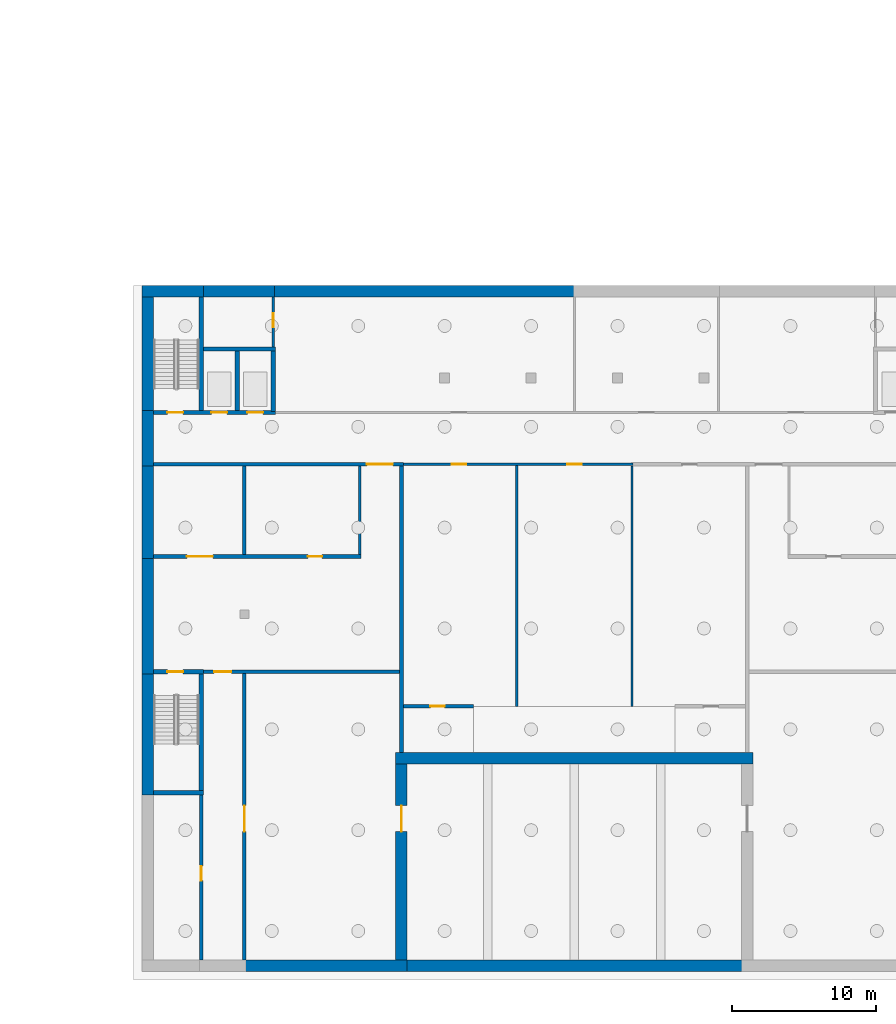
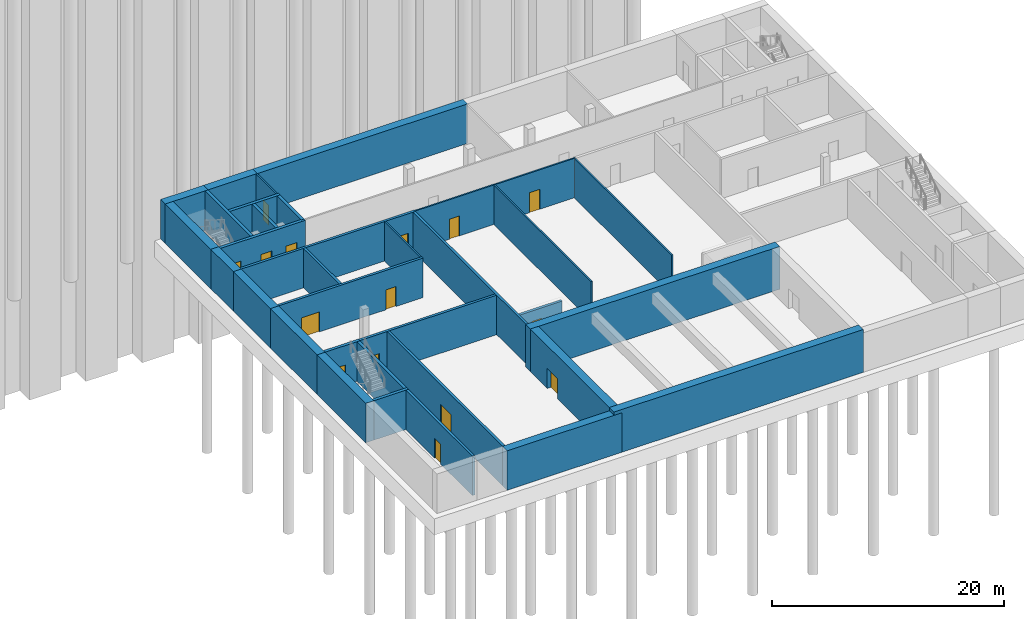
# One storey, part 6 of 23: 33 walls, 15 doors, 15 openings.
"""IFC4 building model written with IfcOpenShell, lengths in metres."""

from ifc_helpers import new_model, si_unit, direction, frame, frame_2d, origin, place, context, subcontext, project, spatial, rectangle, extrude, material, layer, layer_set, type_object, element, fill, save


model = new_model("IFC4")

# Units and contexts
model_context = context("Model", 3, precision=1e-05, world=origin(), true_north=direction((0.0, 1.0)))
body_context = subcontext(model_context, "Body", "Model", "MODEL_VIEW")
ifc_project = project(units=[si_unit("LENGTHUNIT", "METRE"), si_unit("AREAUNIT", "SQUARE_METRE"), si_unit("VOLUMEUNIT", "CUBIC_METRE"), si_unit("PLANEANGLEUNIT", "RADIAN"), si_unit("MASSUNIT", "GRAM", prefix="KILO")], contexts=[model_context])

# Site, building, storey
site_placement = place(None, origin())
site = spatial("IfcSite", under=ifc_project, at=site_placement, CompositionType="ELEMENT")
building_placement = place(site_placement, origin())
building = spatial("IfcBuilding", under=site, at=building_placement, Name="Kiln Ring Residences", CompositionType="ELEMENT")
storey_placement = place(building_placement, frame((0.0, 0.0, -4.5)))
storey = spatial("IfcBuildingStorey", under=building, at=storey_placement, Name="B1", CompositionType="ELEMENT", Elevation=-4.5)

# Walls
ifc_material_1 = material(Name="Concrete C40/50", Category="concrete")
ifc_layer_1 = layer(ifc_material_1, 0.800048828125)
ifc_layer_set_1 = layer_set([ifc_layer_1], Name="Hall Board-marked concrete C40/50 hall wall 800")
wall_type_1 = type_object("IfcWallType", Name="Hall Board-marked concrete C40/50 hall wall 800", PredefinedType="SOLIDWALL", material=ifc_layer_set_1)
wall_1_placement = place(storey_placement, frame((-12.39990234375, -159.60009765625, 0.0), z_axis=(0.0, 0.0, 1.0), x_axis=(1.0, 0.0, 0.0)))
element("IfcWall", 1, at=wall_1_placement, inside=storey, type_object=wall_type_1, Name="Hall wall B1 4", PredefinedType="SOLIDWALL", context=body_context, shape_type="SweptSolid", body=[
    extrude(rectangle(XDim=24.7998046875, YDim=0.800048828125, at=frame_2d((12.39990234375, 0.0))), origin(), (0.0, 0.0, 1.0), 4.5),
])
ifc_material_2 = material(Name="Concrete C40/50", Category="concrete")
ifc_layer_2 = layer(ifc_material_2, 0.800048828125)
ifc_layer_set_2 = layer_set([ifc_layer_2], Name="Hall Board-marked concrete C40/50 hall wall 800 internal")
wall_type_2 = type_object("IfcWallType", Name="Hall Board-marked concrete C40/50 hall wall 800 internal", PredefinedType="SOLIDWALL", material=ifc_layer_set_2)
wall_2_placement = place(storey_placement, frame((-12.39990234375, -145.199951171875, 0.0), z_axis=(0.0, 0.0, 1.0), x_axis=(1.0, 0.0, 0.0)))
element("IfcWall", 2, at=wall_2_placement, inside=storey, type_object=wall_type_2, Name="Hall wall B1 11", PredefinedType="SOLIDWALL", context=body_context, shape_type="SweptSolid", body=[
    extrude(rectangle(XDim=24.7998046875, YDim=0.800048828125, at=frame_2d((12.39990234375, 0.0))), origin(), (0.0, 0.0, 1.0), 4.5),
])

# Wall, opening, door
wall_3_placement = place(storey_placement, frame((-12.0, -159.199951171875, 0.0), z_axis=(0.0, 0.0, 1.0), x_axis=(0.0, 1.0, 0.0)))
wall_3 = element("IfcWall", 3, at=wall_3_placement, inside=storey, type_object=wall_type_2, Name="Hall wall B1 50", PredefinedType="SOLIDWALL", context=body_context, shape_type="SweptSolid", body=[
    extrude(rectangle(XDim=13.599853515625, YDim=0.800048828125, at=frame_2d((6.7998046875, 0.0))), origin(), (0.0, 0.0, 1.0), 4.5),
])
opening_1_placement = place(wall_3_placement, frame((8.89990234375, 0.0, 0.0)))
opening_1 = element("IfcOpeningElement", 4, at=opening_1_placement, cuts=wall_3, Name="Opening B1-32", PredefinedType="OPENING", context=body_context, shape_type="SweptSolid", body=[
    extrude(rectangle(XDim=1.800048828125, YDim=2.10009765625, at=frame_2d((0.89990234375, 1.050048828125))), frame((0.0, 0.409912109375, 0.0), z_axis=(0.0, -1.0, 0.0), x_axis=(1.0, 0.0, 0.0)), (0.0, 0.0, 1.0), 0.820068359375),
])
ifc_material_3 = material(Name="Steel door leaf", Category="steel")
door_type_1 = type_object("IfcDoorType", Name="Hall Double door 1800 x 2100", OperationType="DOUBLE_DOOR_SINGLE_SWING", PredefinedType="DOOR", material=ifc_material_3)
door_1_placement = place(opening_1_placement, origin())
door_1 = element("IfcDoor", 5, at=door_1_placement, inside=storey, type_object=door_type_1, Name="Hall door B1-32", OperationType="DOUBLE_DOOR_SINGLE_SWING", OverallHeight=2.10009765625, OverallWidth=1.800048828125, PredefinedType="DOOR", context=body_context, shape_type="SweptSolid", body=[
    extrude(rectangle(XDim=1.800048828125, YDim=2.10009765625, at=frame_2d((0.89990234375, 1.050048828125))), frame((0.0, 0.02490234375, 0.0), z_axis=(0.0, -1.0, 0.0), x_axis=(1.0, 0.0, 0.0)), (0.0, 0.0, 1.0), 0.050048828125),
])
fill(opening_1, door_1)

# Walls
ifc_material_4 = material(Name="Concrete C40/50", Category="concrete")
ifc_layer_3 = layer(ifc_material_4, 0.800048828125)
ifc_layer_set_3 = layer_set([ifc_layer_3], Name="Hall Exposed brick-faced reinforced concrete C40/50 wall 800")
wall_type_3 = type_object("IfcWallType", Name="Hall Exposed brick-faced reinforced concrete C40/50 wall 800", PredefinedType="SOLIDWALL", material=ifc_layer_set_3)
wall_4_placement = place(storey_placement, frame((-23.02490234375, -159.60009765625, 0.0), z_axis=(0.0, 0.0, 1.0), x_axis=(1.0, 0.0, 0.0)))
element("IfcWall", 6, at=wall_4_placement, inside=storey, type_object=wall_type_3, Name="Hall wall B1 3", PredefinedType="SOLIDWALL", context=body_context, shape_type="SweptSolid", body=[
    extrude(rectangle(XDim=11.4248046875, YDim=0.800048828125, at=frame_2d((5.71240234375, 0.0))), origin(), (0.0, 0.0, 1.0), 4.14990234375),
])
wall_5_placement = place(storey_placement, frame((-30.0, -112.800048828125, 0.0), z_axis=(0.0, 0.0, 1.0), x_axis=(1.0, 0.0, 0.0)))
element("IfcWall", 7, at=wall_5_placement, inside=storey, type_object=wall_type_3, Name="Hall wall B1 28", PredefinedType="SOLIDWALL", context=body_context, shape_type="SweptSolid", body=[
    extrude(rectangle(XDim=4.25, YDim=0.800048828125, at=frame_2d((2.125, 0.0))), origin(), (0.0, 0.0, 1.0), 4.14990234375),
])
wall_6_placement = place(storey_placement, frame((-26.0498046875, -112.800048828125, 0.0), z_axis=(0.0, 0.0, 1.0), x_axis=(1.0, 0.0, 0.0)))
element("IfcWall", 8, at=wall_6_placement, inside=storey, type_object=wall_type_3, Name="Hall wall B1 29", PredefinedType="SOLIDWALL", context=body_context, shape_type="SweptSolid", body=[
    extrude(rectangle(XDim=5.224609375, YDim=0.800048828125, at=frame_2d((2.6123046875, 0.0))), origin(), (0.0, 0.0, 1.0), 4.14990234375),
])
wall_7_placement = place(storey_placement, frame((-20.974853515625, -112.800048828125, 0.0), z_axis=(0.0, 0.0, 1.0), x_axis=(1.0, 0.0, 0.0)))
element("IfcWall", 9, at=wall_7_placement, inside=storey, type_object=wall_type_3, Name="Hall wall B1 30", PredefinedType="SOLIDWALL", context=body_context, shape_type="SweptSolid", body=[
    extrude(rectangle(XDim=21.0498046875, YDim=0.800048828125, at=frame_2d((10.52490234375, 0.0))), origin(), (0.0, 0.0, 1.0), 4.14990234375),
])
wall_8_placement = place(storey_placement, frame((-29.60009765625, -147.75, 0.0), z_axis=(0.0, 0.0, 1.0), x_axis=(0.0, 1.0, 0.0)))
element("IfcWall", 10, at=wall_8_placement, inside=storey, type_object=wall_type_3, Name="Hall wall B1 36", PredefinedType="SOLIDWALL", context=body_context, shape_type="SweptSolid", body=[
    extrude(rectangle(XDim=8.699951171875, YDim=0.800048828125, at=frame_2d((4.35009765625, 0.0))), origin(), (0.0, 0.0, 1.0), 4.14990234375),
])
wall_9_placement = place(storey_placement, frame((-29.60009765625, -139.349853515625, 0.0), z_axis=(0.0, 0.0, 1.0), x_axis=(0.0, 1.0, 0.0)))
element("IfcWall", 11, at=wall_9_placement, inside=storey, type_object=wall_type_3, Name="Hall wall B1 37", PredefinedType="SOLIDWALL", context=body_context, shape_type="SweptSolid", body=[
    extrude(rectangle(XDim=8.274658203125, YDim=0.800048828125, at=frame_2d((4.13720703125, 0.0))), origin(), (0.0, 0.0, 1.0), 4.14990234375),
])
wall_10_placement = place(storey_placement, frame((-29.60009765625, -131.324951171875, 0.0), z_axis=(0.0, 0.0, 1.0), x_axis=(0.0, 1.0, 0.0)))
element("IfcWall", 12, at=wall_10_placement, inside=storey, type_object=wall_type_3, Name="Hall wall B1 38", PredefinedType="SOLIDWALL", context=body_context, shape_type="SweptSolid", body=[
    extrude(rectangle(XDim=6.64990234375, YDim=0.800048828125, at=frame_2d((3.324951171875, 0.0))), origin(), (0.0, 0.0, 1.0), 4.14990234375),
])
wall_11_placement = place(storey_placement, frame((-29.60009765625, -124.9248046875, 0.0), z_axis=(0.0, 0.0, 1.0), x_axis=(0.0, 1.0, 0.0)))
element("IfcWall", 13, at=wall_11_placement, inside=storey, type_object=wall_type_3, Name="Hall wall B1 39", PredefinedType="SOLIDWALL", context=body_context, shape_type="SweptSolid", body=[
    extrude(rectangle(XDim=3.874755859375, YDim=0.800048828125, at=frame_2d((1.9375, 0.0))), origin(), (0.0, 0.0, 1.0), 4.14990234375),
])
wall_12_placement = place(storey_placement, frame((-29.60009765625, -121.349853515625, 0.0), z_axis=(0.0, 0.0, 1.0), x_axis=(0.0, 1.0, 0.0)))
element("IfcWall", 14, at=wall_12_placement, inside=storey, type_object=wall_type_3, Name="Hall wall B1 40", PredefinedType="SOLIDWALL", context=body_context, shape_type="SweptSolid", body=[
    extrude(rectangle(XDim=8.14990234375, YDim=0.800048828125, at=frame_2d((4.074951171875, 0.0))), origin(), (0.0, 0.0, 1.0), 4.14990234375),
])
ifc_material_5 = material(Name="Concrete C40/50", Category="concrete")
ifc_layer_4 = layer(ifc_material_5, 0.300048828125)
ifc_layer_set_4 = layer_set([ifc_layer_4], Name="Hall Reinforced concrete C40/50 core wall 300")
wall_type_4 = type_object("IfcWallType", Name="Hall Reinforced concrete C40/50 core wall 300", PredefinedType="SOLIDWALL", material=ifc_layer_set_4)
wall_13_placement = place(storey_placement, frame((-29.199951171875, -147.60009765625, 0.0), z_axis=(0.0, 0.0, 1.0), x_axis=(1.0, 0.0, 0.0)))
element("IfcWall", 15, at=wall_13_placement, inside=storey, type_object=wall_type_4, Name="Hall wall B1 9", PredefinedType="SOLIDWALL", context=body_context, shape_type="SweptSolid", body=[
    extrude(rectangle(XDim=3.449951171875, YDim=0.300048828125, at=frame_2d((1.72509765625, 0.0))), origin(), (0.0, 0.0, 1.0), 4.14990234375),
])

# Wall, opening, door
wall_14_placement = place(storey_placement, frame((-29.199951171875, -139.199951171875, 0.0), z_axis=(0.0, 0.0, 1.0), x_axis=(1.0, 0.0, 0.0)))
wall_14 = element("IfcWall", 16, at=wall_14_placement, inside=storey, type_object=wall_type_4, Name="Hall wall B1 14", PredefinedType="SOLIDWALL", context=body_context, shape_type="SweptSolid", body=[
    extrude(rectangle(XDim=3.449951171875, YDim=0.300048828125, at=frame_2d((1.72509765625, 0.0))), origin(), (0.0, 0.0, 1.0), 4.14990234375),
])
opening_2_placement = place(wall_14_placement, frame((0.949951171875, 0.0, 0.0)))
opening_2 = element("IfcOpeningElement", 17, at=opening_2_placement, cuts=wall_14, Name="Opening B1-08", PredefinedType="OPENING", context=body_context, shape_type="SweptSolid", body=[
    extrude(rectangle(XDim=1.10009765625, YDim=2.10009765625, at=frame_2d((0.550048828125, 1.050048828125))), frame((0.0, 0.159912109375, 0.0), z_axis=(0.0, -1.0, 0.0), x_axis=(1.0, 0.0, 0.0)), (0.0, 0.0, 1.0), 0.320068359375),
])
ifc_material_6 = material(Name="Steel door leaf", Category="steel")
door_type_2 = type_object("IfcDoorType", Name="Hall Stair door 1100 x 2100", OperationType="SINGLE_SWING_LEFT", PredefinedType="DOOR", material=ifc_material_6)
door_2_placement = place(opening_2_placement, origin())
door_2 = element("IfcDoor", 18, at=door_2_placement, inside=storey, type_object=door_type_2, Name="Hall door B1-08", OperationType="SINGLE_SWING_RIGHT", OverallHeight=2.10009765625, OverallWidth=1.10009765625, PredefinedType="DOOR", context=body_context, shape_type="SweptSolid", body=[
    extrude(rectangle(XDim=1.10009765625, YDim=2.10009765625, at=frame_2d((0.550048828125, 1.050048828125))), frame((0.0, 0.02490234375, 0.0), z_axis=(0.0, -1.0, 0.0), x_axis=(1.0, 0.0, 0.0)), (0.0, 0.0, 1.0), 0.050048828125),
])
fill(opening_2, door_2)

# Wall, openings, doors
wall_15_placement = place(storey_placement, frame((-29.199951171875, -121.199951171875, 0.0), z_axis=(0.0, 0.0, 1.0), x_axis=(1.0, 0.0, 0.0)))
wall_15 = element("IfcWall", 19, at=wall_15_placement, inside=storey, type_object=wall_type_4, Name="Hall wall B1 23", PredefinedType="SOLIDWALL", context=body_context, shape_type="SweptSolid", body=[
    extrude(rectangle(XDim=8.449951171875, YDim=0.300048828125, at=frame_2d((4.22509765625, 0.0))), origin(), (0.0, 0.0, 1.0), 4.14990234375),
])
opening_3_placement = place(wall_15_placement, frame((4.0, 0.0, 0.0)))
opening_3 = element("IfcOpeningElement", 20, at=opening_3_placement, cuts=wall_15, Name="Opening B1-01", PredefinedType="OPENING", context=body_context, shape_type="SweptSolid", body=[
    extrude(rectangle(XDim=1.10009765625, YDim=2.10009765625, at=frame_2d((0.550048828125, 1.050048828125))), frame((0.0, 0.159912109375, 0.0), z_axis=(0.0, -1.0, 0.0), x_axis=(1.0, 0.0, 0.0)), (0.0, 0.0, 1.0), 0.320068359375),
])
opening_4_placement = place(wall_15_placement, frame((6.5, 0.0, 0.0)))
opening_4 = element("IfcOpeningElement", 21, at=opening_4_placement, cuts=wall_15, Name="Opening B1-02", PredefinedType="OPENING", context=body_context, shape_type="SweptSolid", body=[
    extrude(rectangle(XDim=1.10009765625, YDim=2.10009765625, at=frame_2d((0.550048828125, 1.050048828125))), frame((0.0, 0.159912109375, 0.0), z_axis=(0.0, -1.0, 0.0), x_axis=(1.0, 0.0, 0.0)), (0.0, 0.0, 1.0), 0.320068359375),
])
opening_5_placement = place(wall_15_placement, frame((0.949951171875, 0.0, 0.0)))
opening_5 = element("IfcOpeningElement", 22, at=opening_5_placement, cuts=wall_15, Name="Opening B1-06", PredefinedType="OPENING", context=body_context, shape_type="SweptSolid", body=[
    extrude(rectangle(XDim=1.10009765625, YDim=2.10009765625, at=frame_2d((0.550048828125, 1.050048828125))), frame((0.0, 0.159912109375, 0.0), z_axis=(0.0, -1.0, 0.0), x_axis=(1.0, 0.0, 0.0)), (0.0, 0.0, 1.0), 0.320068359375),
])
ifc_material_7 = material(Name="Steel door leaf", Category="steel")
door_type_3 = type_object("IfcDoorType", Name="Hall Lift landing door 1100 x 2100", OperationType="DOUBLE_DOOR_SLIDING", PredefinedType="DOOR", material=ifc_material_7)
door_3_placement = place(opening_3_placement, origin())
door_3 = element("IfcDoor", 23, at=door_3_placement, inside=storey, type_object=door_type_3, Name="Hall door B1-01", OperationType="DOUBLE_DOOR_SLIDING", OverallHeight=2.10009765625, OverallWidth=1.10009765625, PredefinedType="DOOR", context=body_context, shape_type="SweptSolid", body=[
    extrude(rectangle(XDim=1.10009765625, YDim=2.10009765625, at=frame_2d((0.550048828125, 1.050048828125))), frame((0.0, 0.02490234375, 0.0), z_axis=(0.0, -1.0, 0.0), x_axis=(1.0, 0.0, 0.0)), (0.0, 0.0, 1.0), 0.050048828125),
])
fill(opening_3, door_3)
door_4_placement = place(opening_4_placement, origin())
door_4 = element("IfcDoor", 24, at=door_4_placement, inside=storey, type_object=door_type_3, Name="Hall door B1-02", OperationType="DOUBLE_DOOR_SLIDING", OverallHeight=2.10009765625, OverallWidth=1.10009765625, PredefinedType="DOOR", context=body_context, shape_type="SweptSolid", body=[
    extrude(rectangle(XDim=1.10009765625, YDim=2.10009765625, at=frame_2d((0.550048828125, 1.050048828125))), frame((0.0, 0.02490234375, 0.0), z_axis=(0.0, -1.0, 0.0), x_axis=(1.0, 0.0, 0.0)), (0.0, 0.0, 1.0), 0.050048828125),
])
fill(opening_4, door_4)
door_5_placement = place(opening_5_placement, origin())
door_5 = element("IfcDoor", 25, at=door_5_placement, inside=storey, type_object=door_type_2, Name="Hall door B1-06", OperationType="SINGLE_SWING_RIGHT", OverallHeight=2.10009765625, OverallWidth=1.10009765625, PredefinedType="DOOR", context=body_context, shape_type="SweptSolid", body=[
    extrude(rectangle(XDim=1.10009765625, YDim=2.10009765625, at=frame_2d((0.550048828125, 1.050048828125))), frame((0.0, 0.02490234375, 0.0), z_axis=(0.0, -1.0, 0.0), x_axis=(1.0, 0.0, 0.0)), (0.0, 0.0, 1.0), 0.050048828125),
])
fill(opening_5, door_5)

# Walls
wall_16_placement = place(storey_placement, frame((-25.75, -116.800048828125, 0.0), z_axis=(0.0, 0.0, 1.0), x_axis=(1.0, 0.0, 0.0)))
element("IfcWall", 26, at=wall_16_placement, inside=storey, type_object=wall_type_4, Name="Hall wall B1 26", PredefinedType="SOLIDWALL", context=body_context, shape_type="SweptSolid", body=[
    extrude(rectangle(XDim=5.0, YDim=0.300048828125, at=frame_2d((2.5, 0.0))), origin(), (0.0, 0.0, 1.0), 4.14990234375),
])
wall_17_placement = place(storey_placement, frame((-25.89990234375, -147.449951171875, 0.0), z_axis=(0.0, 0.0, 1.0), x_axis=(0.0, 1.0, 0.0)))
element("IfcWall", 27, at=wall_17_placement, inside=storey, type_object=wall_type_4, Name="Hall wall B1 42", PredefinedType="SOLIDWALL", context=body_context, shape_type="SweptSolid", body=[
    extrude(rectangle(XDim=8.224853515625, YDim=0.300048828125, at=frame_2d((4.1123046875, 0.0))), origin(), (0.0, 0.0, 1.0), 4.14990234375),
])
wall_18_placement = place(storey_placement, frame((-25.89990234375, -121.050048828125, 0.0), z_axis=(0.0, 0.0, 1.0), x_axis=(0.0, 1.0, 0.0)))
element("IfcWall", 28, at=wall_18_placement, inside=storey, type_object=wall_type_4, Name="Hall wall B1 43", PredefinedType="SOLIDWALL", context=body_context, shape_type="SweptSolid", body=[
    extrude(rectangle(XDim=7.85009765625, YDim=0.300048828125, at=frame_2d((3.925048828125, 0.0))), origin(), (0.0, 0.0, 1.0), 4.14990234375),
])
wall_19_placement = place(storey_placement, frame((-23.39990234375, -121.050048828125, 0.0), z_axis=(0.0, 0.0, 1.0), x_axis=(0.0, 1.0, 0.0)))
element("IfcWall", 29, at=wall_19_placement, inside=storey, type_object=wall_type_4, Name="Hall wall B1 44", PredefinedType="SOLIDWALL", context=body_context, shape_type="SweptSolid", body=[
    extrude(rectangle(XDim=4.10009765625, YDim=0.300048828125, at=frame_2d((2.050048828125, 0.0))), origin(), (0.0, 0.0, 1.0), 4.14990234375),
])
wall_20_placement = place(storey_placement, frame((-20.89990234375, -121.125, 0.0), z_axis=(0.0, 0.0, 1.0), x_axis=(0.0, 1.0, 0.0)))
element("IfcWall", 30, at=wall_20_placement, inside=storey, type_object=wall_type_4, Name="Hall wall B1 47", PredefinedType="SOLIDWALL", context=body_context, shape_type="SweptSolid", body=[
    extrude(rectangle(XDim=4.175048828125, YDim=0.300048828125, at=frame_2d((2.08740234375, 0.0))), origin(), (0.0, 0.0, 1.0), 4.14990234375),
])

# Wall, opening, door
ifc_material_8 = material(Name="Concrete C40/50", Category="concrete")
ifc_layer_5 = layer(ifc_material_8, 0.25)
ifc_layer_set_5 = layer_set([ifc_layer_5], Name="Hall Reinforced concrete C40/50 wall 250")
wall_type_5 = type_object("IfcWallType", Name="Hall Reinforced concrete C40/50 wall 250", PredefinedType="SOLIDWALL", material=ifc_layer_set_5)
wall_21_placement = place(storey_placement, frame((-11.875, -141.60009765625, 0.0), z_axis=(0.0, 0.0, 1.0), x_axis=(1.0, 0.0, 0.0)))
wall_21 = element("IfcWall", 31, at=wall_21_placement, inside=storey, type_object=wall_type_5, Name="Hall wall B1 12", PredefinedType="SOLIDWALL", context=body_context, shape_type="SweptSolid", body=[
    extrude(rectangle(XDim=4.875, YDim=0.25, at=frame_2d((2.4375, 0.0))), origin(), (0.0, 0.0, 1.0), 3.199951171875),
])
opening_6_placement = place(wall_21_placement, frame((1.875, 0.0, 0.0)))
opening_6 = element("IfcOpeningElement", 32, at=opening_6_placement, cuts=wall_21, Name="Opening B1-30", PredefinedType="OPENING", context=body_context, shape_type="SweptSolid", body=[
    extrude(rectangle(XDim=1.0, YDim=2.10009765625, at=frame_2d((0.5, 1.050048828125))), frame((0.0, 0.135009765625, 0.0), z_axis=(0.0, -1.0, 0.0), x_axis=(1.0, 0.0, 0.0)), (0.0, 0.0, 1.0), 0.27001953125),
])
ifc_material_9 = material(Name="Steel door leaf", Category="steel")
door_type_4 = type_object("IfcDoorType", Name="Hall Single door 1000 x 2100", OperationType="SINGLE_SWING_LEFT", PredefinedType="DOOR", material=ifc_material_9)
door_6_placement = place(opening_6_placement, origin())
door_6 = element("IfcDoor", 33, at=door_6_placement, inside=storey, type_object=door_type_4, Name="Hall door B1-30", OperationType="SINGLE_SWING_RIGHT", OverallHeight=2.10009765625, OverallWidth=1.0, PredefinedType="DOOR", context=body_context, shape_type="SweptSolid", body=[
    extrude(rectangle(XDim=1.0, YDim=2.10009765625, at=frame_2d((0.5, 1.050048828125))), frame((0.0, 0.02490234375, 0.0), z_axis=(0.0, -1.0, 0.0), x_axis=(1.0, 0.0, 0.0)), (0.0, 0.0, 1.0), 0.050048828125),
])
fill(opening_6, door_6)

wall_22_placement = place(storey_placement, frame((-25.75, -139.199951171875, 0.0), z_axis=(0.0, 0.0, 1.0), x_axis=(1.0, 0.0, 0.0)))
wall_22 = element("IfcWall", 34, at=wall_22_placement, inside=storey, type_object=wall_type_5, Name="Hall wall B1 15", PredefinedType="SOLIDWALL", context=body_context, shape_type="SweptSolid", body=[
    extrude(rectangle(XDim=13.625, YDim=0.25, at=frame_2d((6.8125, 0.0))), origin(), (0.0, 0.0, 1.0), 4.14990234375),
])
opening_7_placement = place(wall_22_placement, frame((0.75, 0.0, 0.0)))
opening_7 = element("IfcOpeningElement", 35, at=opening_7_placement, cuts=wall_22, Name="Opening B1-21", PredefinedType="OPENING", context=body_context, shape_type="SweptSolid", body=[
    extrude(rectangle(XDim=1.199951171875, YDim=2.10009765625, at=frame_2d((0.60009765625, 1.050048828125))), frame((0.0, 0.135009765625, 0.0), z_axis=(0.0, -1.0, 0.0), x_axis=(1.0, 0.0, 0.0)), (0.0, 0.0, 1.0), 0.27001953125),
])
ifc_material_10 = material(Name="Steel door leaf", Category="steel")
door_type_5 = type_object("IfcDoorType", Name="Hall Single door 1200 x 2100", OperationType="SINGLE_SWING_LEFT", PredefinedType="DOOR", material=ifc_material_10)
door_7_placement = place(opening_7_placement, origin())
door_7 = element("IfcDoor", 36, at=door_7_placement, inside=storey, type_object=door_type_5, Name="Hall door B1-21", OperationType="SINGLE_SWING_LEFT", OverallHeight=2.10009765625, OverallWidth=1.199951171875, PredefinedType="DOOR", context=body_context, shape_type="SweptSolid", body=[
    extrude(rectangle(XDim=1.199951171875, YDim=2.10009765625, at=frame_2d((0.60009765625, 1.050048828125))), frame((0.0, 0.02490234375, 0.0), z_axis=(0.0, -1.0, 0.0), x_axis=(1.0, 0.0, 0.0)), (0.0, 0.0, 1.0), 0.050048828125),
])
fill(opening_7, door_7)

# Wall, openings, doors
wall_23_placement = place(storey_placement, frame((-29.199951171875, -131.199951171875, 0.0), z_axis=(0.0, 0.0, 1.0), x_axis=(1.0, 0.0, 0.0)))
wall_23 = element("IfcWall", 37, at=wall_23_placement, inside=storey, type_object=wall_type_5, Name="Hall wall B1 18", PredefinedType="SOLIDWALL", context=body_context, shape_type="SweptSolid", body=[
    extrude(rectangle(XDim=14.375, YDim=0.25, at=frame_2d((7.1875, 0.0))), origin(), (0.0, 0.0, 1.0), 4.14990234375),
])
opening_8_placement = place(wall_23_placement, frame((2.300048828125, 0.0, 0.0)))
opening_8 = element("IfcOpeningElement", 38, at=opening_8_placement, cuts=wall_23, Name="Opening B1-17", PredefinedType="OPENING", context=body_context, shape_type="SweptSolid", body=[
    extrude(rectangle(XDim=1.800048828125, YDim=2.10009765625, at=frame_2d((0.89990234375, 1.050048828125))), frame((0.0, 0.135009765625, 0.0), z_axis=(0.0, -1.0, 0.0), x_axis=(1.0, 0.0, 0.0)), (0.0, 0.0, 1.0), 0.27001953125),
])
opening_9_placement = place(wall_23_placement, frame((10.699951171875, 0.0, 0.0)))
opening_9 = element("IfcOpeningElement", 39, at=opening_9_placement, cuts=wall_23, Name="Opening B1-18", PredefinedType="OPENING", context=body_context, shape_type="SweptSolid", body=[
    extrude(rectangle(XDim=1.0, YDim=2.10009765625, at=frame_2d((0.5, 1.050048828125))), frame((0.0, 0.135009765625, 0.0), z_axis=(0.0, -1.0, 0.0), x_axis=(1.0, 0.0, 0.0)), (0.0, 0.0, 1.0), 0.27001953125),
])
door_8_placement = place(opening_8_placement, origin())
door_8 = element("IfcDoor", 40, at=door_8_placement, inside=storey, type_object=door_type_1, Name="Hall door B1-17", OperationType="DOUBLE_DOOR_SINGLE_SWING", OverallHeight=2.10009765625, OverallWidth=1.800048828125, PredefinedType="DOOR", context=body_context, shape_type="SweptSolid", body=[
    extrude(rectangle(XDim=1.800048828125, YDim=2.10009765625, at=frame_2d((0.89990234375, 1.050048828125))), frame((0.0, 0.02490234375, 0.0), z_axis=(0.0, -1.0, 0.0), x_axis=(1.0, 0.0, 0.0)), (0.0, 0.0, 1.0), 0.050048828125),
])
fill(opening_8, door_8)
door_9_placement = place(opening_9_placement, origin())
door_9 = element("IfcDoor", 41, at=door_9_placement, inside=storey, type_object=door_type_4, Name="Hall door B1-18", OperationType="SINGLE_SWING_RIGHT", OverallHeight=2.10009765625, OverallWidth=1.0, PredefinedType="DOOR", context=body_context, shape_type="SweptSolid", body=[
    extrude(rectangle(XDim=1.0, YDim=2.10009765625, at=frame_2d((0.5, 1.050048828125))), frame((0.0, 0.02490234375, 0.0), z_axis=(0.0, -1.0, 0.0), x_axis=(1.0, 0.0, 0.0)), (0.0, 0.0, 1.0), 0.050048828125),
])
fill(opening_9, door_9)

# Wall, opening, door
wall_24_placement = place(storey_placement, frame((-29.199951171875, -124.800048828125, 0.0), z_axis=(0.0, 0.0, 1.0), x_axis=(1.0, 0.0, 0.0)))
wall_24 = element("IfcWall", 42, at=wall_24_placement, inside=storey, type_object=wall_type_5, Name="Hall wall B1 20", PredefinedType="SOLIDWALL", context=body_context, shape_type="SweptSolid", body=[
    extrude(rectangle(XDim=17.324951171875, YDim=0.25, at=frame_2d((8.66259765625, 0.0))), origin(), (0.0, 0.0, 1.0), 4.14990234375),
])
opening_10_placement = place(wall_24_placement, frame((14.800048828125, 0.0, 0.0)))
opening_10 = element("IfcOpeningElement", 43, at=opening_10_placement, cuts=wall_24, Name="Opening B1-15", PredefinedType="OPENING", context=body_context, shape_type="SweptSolid", body=[
    extrude(rectangle(XDim=1.800048828125, YDim=2.10009765625, at=frame_2d((0.89990234375, 1.050048828125))), frame((0.0, 0.135009765625, 0.0), z_axis=(0.0, -1.0, 0.0), x_axis=(1.0, 0.0, 0.0)), (0.0, 0.0, 1.0), 0.27001953125),
])
door_10_placement = place(opening_10_placement, origin())
door_10 = element("IfcDoor", 44, at=door_10_placement, inside=storey, type_object=door_type_1, Name="Hall door B1-15", OperationType="DOUBLE_DOOR_SINGLE_SWING", OverallHeight=2.10009765625, OverallWidth=1.800048828125, PredefinedType="DOOR", context=body_context, shape_type="SweptSolid", body=[
    extrude(rectangle(XDim=1.800048828125, YDim=2.10009765625, at=frame_2d((0.89990234375, 1.050048828125))), frame((0.0, 0.02490234375, 0.0), z_axis=(0.0, -1.0, 0.0), x_axis=(1.0, 0.0, 0.0)), (0.0, 0.0, 1.0), 0.050048828125),
])
fill(opening_10, door_10)

wall_25_placement = place(storey_placement, frame((-25.89990234375, -159.199951171875, 0.0), z_axis=(0.0, 0.0, 1.0), x_axis=(0.0, 1.0, 0.0)))
wall_25 = element("IfcWall", 45, at=wall_25_placement, inside=storey, type_object=wall_type_5, Name="Hall wall B1 41", PredefinedType="SOLIDWALL", context=body_context, shape_type="SweptSolid", body=[
    extrude(rectangle(XDim=11.449951171875, YDim=0.25, at=frame_2d((5.72509765625, 0.0))), origin(), (0.0, 0.0, 1.0), 4.14990234375),
])
opening_11_placement = place(wall_25_placement, frame((5.5, 0.0, 0.0)))
opening_11 = element("IfcOpeningElement", 46, at=opening_11_placement, cuts=wall_25, Name="Opening B1-23", PredefinedType="OPENING", context=body_context, shape_type="SweptSolid", body=[
    extrude(rectangle(XDim=1.0, YDim=2.10009765625, at=frame_2d((0.5, 1.050048828125))), frame((0.0, 0.135009765625, 0.0), z_axis=(0.0, -1.0, 0.0), x_axis=(1.0, 0.0, 0.0)), (0.0, 0.0, 1.0), 0.27001953125),
])
door_11_placement = place(opening_11_placement, origin())
door_11 = element("IfcDoor", 47, at=door_11_placement, inside=storey, type_object=door_type_4, Name="Hall door B1-23", OperationType="SINGLE_SWING_LEFT", OverallHeight=2.10009765625, OverallWidth=1.0, PredefinedType="DOOR", context=body_context, shape_type="SweptSolid", body=[
    extrude(rectangle(XDim=1.0, YDim=2.10009765625, at=frame_2d((0.5, 1.050048828125))), frame((0.0, 0.02490234375, 0.0), z_axis=(0.0, -1.0, 0.0), x_axis=(1.0, 0.0, 0.0)), (0.0, 0.0, 1.0), 0.050048828125),
])
fill(opening_11, door_11)

wall_26_placement = place(storey_placement, frame((-22.89990234375, -159.199951171875, 0.0), z_axis=(0.0, 0.0, 1.0), x_axis=(0.0, 1.0, 0.0)))
wall_26 = element("IfcWall", 48, at=wall_26_placement, inside=storey, type_object=wall_type_5, Name="Hall wall B1 45", PredefinedType="SOLIDWALL", context=body_context, shape_type="SweptSolid", body=[
    extrude(rectangle(XDim=19.875, YDim=0.25, at=frame_2d((9.9375, 0.0))), origin(), (0.0, 0.0, 1.0), 4.14990234375),
])
opening_12_placement = place(wall_26_placement, frame((8.89990234375, 0.0, 0.0)))
opening_12 = element("IfcOpeningElement", 49, at=opening_12_placement, cuts=wall_26, Name="Opening B1-24", PredefinedType="OPENING", context=body_context, shape_type="SweptSolid", body=[
    extrude(rectangle(XDim=1.800048828125, YDim=2.10009765625, at=frame_2d((0.89990234375, 1.050048828125))), frame((0.0, 0.135009765625, 0.0), z_axis=(0.0, -1.0, 0.0), x_axis=(1.0, 0.0, 0.0)), (0.0, 0.0, 1.0), 0.27001953125),
])
door_12_placement = place(opening_12_placement, origin())
door_12 = element("IfcDoor", 50, at=door_12_placement, inside=storey, type_object=door_type_1, Name="Hall door B1-24", OperationType="DOUBLE_DOOR_SINGLE_SWING", OverallHeight=2.10009765625, OverallWidth=1.800048828125, PredefinedType="DOOR", context=body_context, shape_type="SweptSolid", body=[
    extrude(rectangle(XDim=1.800048828125, YDim=2.10009765625, at=frame_2d((0.89990234375, 1.050048828125))), frame((0.0, 0.02490234375, 0.0), z_axis=(0.0, -1.0, 0.0), x_axis=(1.0, 0.0, 0.0)), (0.0, 0.0, 1.0), 0.050048828125),
])
fill(opening_12, door_12)

# Walls
wall_27_placement = place(storey_placement, frame((-22.89990234375, -131.074951171875, 0.0), z_axis=(0.0, 0.0, 1.0), x_axis=(0.0, 1.0, 0.0)))
element("IfcWall", 51, at=wall_27_placement, inside=storey, type_object=wall_type_5, Name="Hall wall B1 46", PredefinedType="SOLIDWALL", context=body_context, shape_type="SweptSolid", body=[
    extrude(rectangle(XDim=6.14990234375, YDim=0.25, at=frame_2d((3.074951171875, 0.0))), origin(), (0.0, 0.0, 1.0), 4.14990234375),
])
wall_28_placement = place(storey_placement, frame((-12.0, -144.800048828125, 0.0), z_axis=(0.0, 0.0, 1.0), x_axis=(0.0, 1.0, 0.0)))
element("IfcWall", 52, at=wall_28_placement, inside=storey, type_object=wall_type_5, Name="Hall wall B1 51", PredefinedType="SOLIDWALL", context=body_context, shape_type="SweptSolid", body=[
    extrude(rectangle(XDim=19.949951171875, YDim=0.25, at=frame_2d((9.97509765625, 0.0))), origin(), (0.0, 0.0, 1.0), 4.14990234375),
])

# Wall, openings, doors
ifc_material_11 = material(Name="Masonry blockwork f'm 10 MPa", Category="masonry")
ifc_layer_6 = layer(ifc_material_11, 0.14990234375)
ifc_layer_set_6 = layer_set([ifc_layer_6], Name="Hall blockwork partition 150")
wall_type_6 = type_object("IfcWallType", Name="Hall blockwork partition 150", PredefinedType="PARTITIONING", material=ifc_layer_set_6)
wall_29_placement = place(storey_placement, frame((-11.875, -124.800048828125, 0.0), z_axis=(0.0, 0.0, 1.0), x_axis=(1.0, 0.0, 0.0)))
wall_29 = element("IfcWall", 53, at=wall_29_placement, inside=storey, type_object=wall_type_6, Name="Hall wall B1 21", PredefinedType="PARTITIONING", context=body_context, shape_type="SweptSolid", body=[
    extrude(rectangle(XDim=15.949951171875, YDim=0.14990234375, at=frame_2d((7.97509765625, 0.0))), origin(), (0.0, 0.0, 1.0), 4.14990234375),
])
opening_13_placement = place(wall_29_placement, frame((3.375, 0.0, 0.0)))
opening_13 = element("IfcOpeningElement", 54, at=opening_13_placement, cuts=wall_29, Name="Opening B1-27", PredefinedType="OPENING", context=body_context, shape_type="SweptSolid", body=[
    extrude(rectangle(XDim=1.0, YDim=2.10009765625, at=frame_2d((0.5, 1.050048828125))), frame((0.0, 0.0849609375, 0.0), z_axis=(0.0, -1.0, 0.0), x_axis=(1.0, 0.0, 0.0)), (0.0, 0.0, 1.0), 0.169921875),
])
opening_14_placement = place(wall_29_placement, frame((11.375, 0.0, 0.0)))
opening_14 = element("IfcOpeningElement", 55, at=opening_14_placement, cuts=wall_29, Name="Opening B1-28", PredefinedType="OPENING", context=body_context, shape_type="SweptSolid", body=[
    extrude(rectangle(XDim=1.0, YDim=2.10009765625, at=frame_2d((0.5, 1.050048828125))), frame((0.0, 0.0849609375, 0.0), z_axis=(0.0, -1.0, 0.0), x_axis=(1.0, 0.0, 0.0)), (0.0, 0.0, 1.0), 0.169921875),
])
door_13_placement = place(opening_13_placement, origin())
door_13 = element("IfcDoor", 56, at=door_13_placement, inside=storey, type_object=door_type_4, Name="Hall door B1-27", OperationType="SINGLE_SWING_LEFT", OverallHeight=2.10009765625, OverallWidth=1.0, PredefinedType="DOOR", context=body_context, shape_type="SweptSolid", body=[
    extrude(rectangle(XDim=1.0, YDim=2.10009765625, at=frame_2d((0.5, 1.050048828125))), frame((0.0, 0.02490234375, 0.0), z_axis=(0.0, -1.0, 0.0), x_axis=(1.0, 0.0, 0.0)), (0.0, 0.0, 1.0), 0.050048828125),
])
fill(opening_13, door_13)
door_14_placement = place(opening_14_placement, origin())
door_14 = element("IfcDoor", 57, at=door_14_placement, inside=storey, type_object=door_type_4, Name="Hall door B1-28", OperationType="SINGLE_SWING_RIGHT", OverallHeight=2.10009765625, OverallWidth=1.0, PredefinedType="DOOR", context=body_context, shape_type="SweptSolid", body=[
    extrude(rectangle(XDim=1.0, YDim=2.10009765625, at=frame_2d((0.5, 1.050048828125))), frame((0.0, 0.02490234375, 0.0), z_axis=(0.0, -1.0, 0.0), x_axis=(1.0, 0.0, 0.0)), (0.0, 0.0, 1.0), 0.050048828125),
])
fill(opening_14, door_14)

# Wall, opening, door
wall_30_placement = place(storey_placement, frame((-20.89990234375, -116.64990234375, 0.0), z_axis=(0.0, 0.0, 1.0), x_axis=(0.0, 1.0, 0.0)))
wall_30 = element("IfcWall", 58, at=wall_30_placement, inside=storey, type_object=wall_type_6, Name="Hall wall B1 48", PredefinedType="PARTITIONING", context=body_context, shape_type="SweptSolid", body=[
    extrude(rectangle(XDim=3.449951171875, YDim=0.14990234375, at=frame_2d((1.72509765625, 0.0))), origin(), (0.0, 0.0, 1.0), 4.14990234375),
])
opening_15_placement = place(wall_30_placement, frame((1.35009765625, 0.0, 0.0)))
opening_15 = element("IfcOpeningElement", 59, at=opening_15_placement, cuts=wall_30, Name="Opening B1-13", PredefinedType="OPENING", context=body_context, shape_type="SweptSolid", body=[
    extrude(rectangle(XDim=1.0, YDim=2.10009765625, at=frame_2d((0.5, 1.050048828125))), frame((0.0, 0.0849609375, 0.0), z_axis=(0.0, -1.0, 0.0), x_axis=(1.0, 0.0, 0.0)), (0.0, 0.0, 1.0), 0.169921875),
])
door_15_placement = place(opening_15_placement, origin())
door_15 = element("IfcDoor", 60, at=door_15_placement, inside=storey, type_object=door_type_4, Name="Hall door B1-13", OperationType="SINGLE_SWING_LEFT", OverallHeight=2.10009765625, OverallWidth=1.0, PredefinedType="DOOR", context=body_context, shape_type="SweptSolid", body=[
    extrude(rectangle(XDim=1.0, YDim=2.10009765625, at=frame_2d((0.5, 1.050048828125))), frame((0.0, 0.02490234375, 0.0), z_axis=(0.0, -1.0, 0.0), x_axis=(1.0, 0.0, 0.0)), (0.0, 0.0, 1.0), 0.050048828125),
])
fill(opening_15, door_15)

# Walls
wall_31_placement = place(storey_placement, frame((-14.89990234375, -131.074951171875, 0.0), z_axis=(0.0, 0.0, 1.0), x_axis=(0.0, 1.0, 0.0)))
element("IfcWall", 61, at=wall_31_placement, inside=storey, type_object=wall_type_6, Name="Hall wall B1 49", PredefinedType="PARTITIONING", context=body_context, shape_type="SweptSolid", body=[
    extrude(rectangle(XDim=6.14990234375, YDim=0.14990234375, at=frame_2d((3.074951171875, 0.0))), origin(), (0.0, 0.0, 1.0), 4.14990234375),
])
wall_32_placement = place(storey_placement, frame((-4.0, -141.60009765625, 0.0), z_axis=(0.0, 0.0, 1.0), x_axis=(0.0, 1.0, 0.0)))
element("IfcWall", 62, at=wall_32_placement, inside=storey, type_object=wall_type_6, Name="Hall wall B1 52", PredefinedType="PARTITIONING", context=body_context, shape_type="SweptSolid", body=[
    extrude(rectangle(XDim=16.72509765625, YDim=0.14990234375, at=frame_2d((8.362548828125, 0.0))), origin(), (0.0, 0.0, 1.0), 4.14990234375),
])
wall_33_placement = place(storey_placement, frame((4.0, -141.60009765625, 0.0), z_axis=(0.0, 0.0, 1.0), x_axis=(0.0, 1.0, 0.0)))
element("IfcWall", 63, at=wall_33_placement, inside=storey, type_object=wall_type_6, Name="Hall wall B1 54", PredefinedType="PARTITIONING", context=body_context, shape_type="SweptSolid", body=[
    extrude(rectangle(XDim=16.675048828125, YDim=0.14990234375, at=frame_2d((8.33740234375, 0.0))), origin(), (0.0, 0.0, 1.0), 4.14990234375),
])

save(model, "model.ifc")
